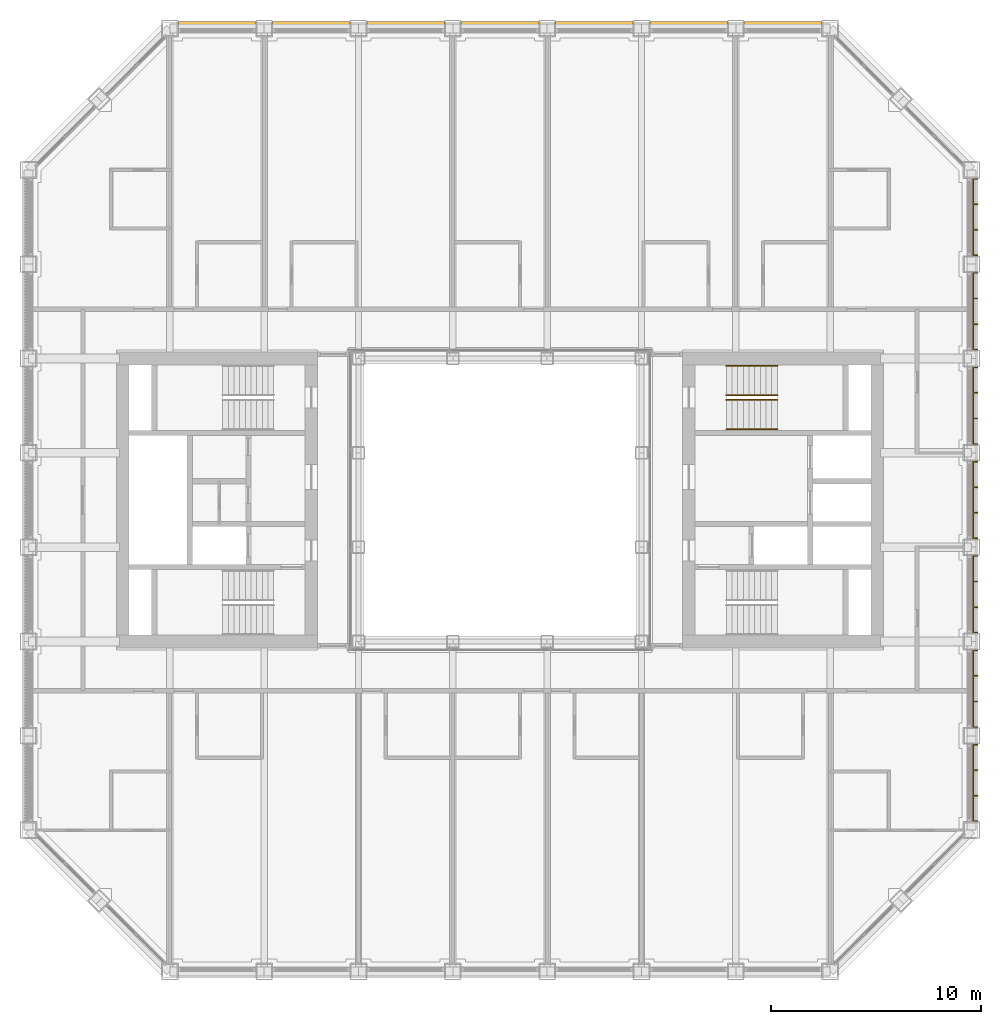
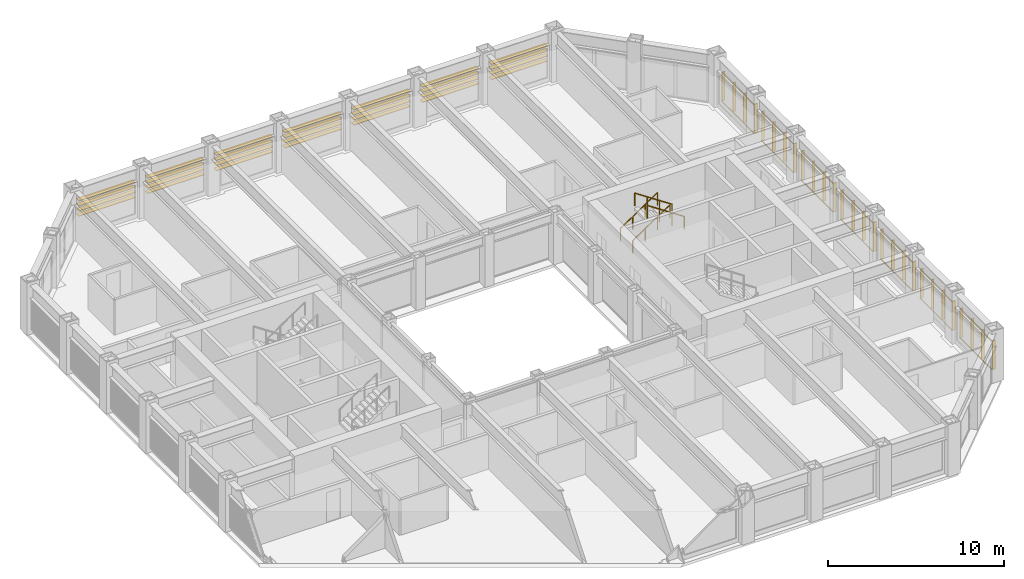
# One storey, part 17 of 17: 4 railings, 2 shading devices.
"""IFC4 building model written with IfcOpenShell, lengths in metres."""

from ifc_helpers import new_model, si_unit, direction, frame, origin, origin_2d, place, context, subcontext, project, spatial, rectangle, circle, extrude, material, type_object, element, save


model = new_model("IFC4")

# Units and contexts
model_context = context("Model", 3, precision=1e-05, world=origin(), true_north=direction((0.0, 1.0)))
body_context = subcontext(model_context, "Body", "Model", "MODEL_VIEW")
ifc_project = project(units=[si_unit("LENGTHUNIT", "METRE"), si_unit("AREAUNIT", "SQUARE_METRE"), si_unit("VOLUMEUNIT", "CUBIC_METRE"), si_unit("PLANEANGLEUNIT", "RADIAN"), si_unit("MASSUNIT", "GRAM", prefix="KILO")], contexts=[model_context])

# Site, building, storey
site_placement = place(None, origin())
site = spatial("IfcSite", under=ifc_project, at=site_placement, CompositionType="ELEMENT")
building_placement = place(site_placement, origin())
building = spatial("IfcBuilding", under=site, at=building_placement, Name="Msasa Ring Tower", CompositionType="ELEMENT")
storey_placement = place(building_placement, frame((0.0, 0.0, 150.800048828125)))
storey = spatial("IfcBuildingStorey", under=building, at=storey_placement, Name="L39", CompositionType="ELEMENT", Elevation=150.800048828125)

# Shading device
ifc_material_1 = material(Name="Extruded terracotta on aluminium carriers", Category="masonry")
shading_device_type_1 = type_object("IfcShadingDeviceType", Name="BS2 TERRACOTTA FIN SCREEN 40x200 AT 1350", PredefinedType="USERDEFINED", material=ifc_material_1)
shading_device_1_placement = place(storey_placement, origin())
element("IfcShadingDevice", 1, at=shading_device_1_placement, inside=storey, type_object=shading_device_type_1, Name="Terracotta fin screen E L39", ObjectType="BAGUETTE", PredefinedType="USERDEFINED", context=body_context, shape_type="SweptSolid", body=[
    extrude(rectangle(XDim=0.06005859375, YDim=0.0400390625, at=origin_2d()), frame((22.580078125, -15.35009765625, 0.329833984375), z_axis=(0.0, 1.0, 0.0), x_axis=(0.0, 0.0, 1.0)), (0.0, 0.0, 1.0), 3.699951171875),
    extrude(rectangle(XDim=0.06005859375, YDim=0.0400390625, at=origin_2d()), frame((22.580078125, -15.35009765625, 2.299072265625), z_axis=(0.0, 1.0, 0.0), x_axis=(0.0, 0.0, 1.0)), (0.0, 0.0, 1.0), 3.699951171875),
    extrude(rectangle(XDim=0.0400390625, YDim=0.199951171875, at=origin_2d()), frame((22.695068359375, -15.330078125, 0.300048828125), z_axis=(0.0, 0.0, 1.0), x_axis=(0.0, 1.0, 0.0)), (0.0, 0.0, 1.0), 2.02880859375),
    extrude(rectangle(XDim=0.0400390625, YDim=0.199951171875, at=origin_2d()), frame((22.695068359375, -14.110107421875, 0.300048828125), z_axis=(0.0, 0.0, 1.0), x_axis=(0.0, 1.0, 0.0)), (0.0, 0.0, 1.0), 2.02880859375),
    extrude(rectangle(XDim=0.0400390625, YDim=0.199951171875, at=origin_2d()), frame((22.695068359375, -12.889892578125, 0.300048828125), z_axis=(0.0, 0.0, 1.0), x_axis=(0.0, 1.0, 0.0)), (0.0, 0.0, 1.0), 2.02880859375),
    extrude(rectangle(XDim=0.0400390625, YDim=0.199951171875, at=origin_2d()), frame((22.695068359375, -11.669921875, 0.300048828125), z_axis=(0.0, 0.0, 1.0), x_axis=(0.0, 1.0, 0.0)), (0.0, 0.0, 1.0), 2.02880859375),
    extrude(rectangle(XDim=0.06005859375, YDim=0.0400390625, at=origin_2d()), frame((22.580078125, -10.85009765625, 0.329833984375), z_axis=(0.0, 1.0, 0.0), x_axis=(0.0, 0.0, 1.0)), (0.0, 0.0, 1.0), 3.699951171875),
    extrude(rectangle(XDim=0.06005859375, YDim=0.0400390625, at=origin_2d()), frame((22.580078125, -10.85009765625, 2.299072265625), z_axis=(0.0, 1.0, 0.0), x_axis=(0.0, 0.0, 1.0)), (0.0, 0.0, 1.0), 3.699951171875),
    extrude(rectangle(XDim=0.0400390625, YDim=0.199951171875, at=origin_2d()), frame((22.695068359375, -10.830078125, 0.300048828125), z_axis=(0.0, 0.0, 1.0), x_axis=(0.0, 1.0, 0.0)), (0.0, 0.0, 1.0), 2.02880859375),
    extrude(rectangle(XDim=0.0400390625, YDim=0.199951171875, at=origin_2d()), frame((22.695068359375, -9.610107421875, 0.300048828125), z_axis=(0.0, 0.0, 1.0), x_axis=(0.0, 1.0, 0.0)), (0.0, 0.0, 1.0), 2.02880859375),
    extrude(rectangle(XDim=0.0400390625, YDim=0.199951171875, at=origin_2d()), frame((22.695068359375, -8.389892578125, 0.300048828125), z_axis=(0.0, 0.0, 1.0), x_axis=(0.0, 1.0, 0.0)), (0.0, 0.0, 1.0), 2.02880859375),
    extrude(rectangle(XDim=0.0400390625, YDim=0.199951171875, at=origin_2d()), frame((22.695068359375, -7.169921875, 0.300048828125), z_axis=(0.0, 0.0, 1.0), x_axis=(0.0, 1.0, 0.0)), (0.0, 0.0, 1.0), 2.02880859375),
    extrude(rectangle(XDim=0.06005859375, YDim=0.0400390625, at=origin_2d()), frame((22.580078125, -6.35009765625, 0.329833984375), z_axis=(0.0, 1.0, 0.0), x_axis=(0.0, 0.0, 1.0)), (0.0, 0.0, 1.0), 3.699951171875),
    extrude(rectangle(XDim=0.06005859375, YDim=0.0400390625, at=origin_2d()), frame((22.580078125, -6.35009765625, 2.299072265625), z_axis=(0.0, 1.0, 0.0), x_axis=(0.0, 0.0, 1.0)), (0.0, 0.0, 1.0), 3.699951171875),
    extrude(rectangle(XDim=0.0400390625, YDim=0.199951171875, at=origin_2d()), frame((22.695068359375, -6.330078125, 0.300048828125), z_axis=(0.0, 0.0, 1.0), x_axis=(0.0, 1.0, 0.0)), (0.0, 0.0, 1.0), 2.02880859375),
    extrude(rectangle(XDim=0.0400390625, YDim=0.199951171875, at=origin_2d()), frame((22.695068359375, -5.110107421875, 0.300048828125), z_axis=(0.0, 0.0, 1.0), x_axis=(0.0, 1.0, 0.0)), (0.0, 0.0, 1.0), 2.02880859375),
    extrude(rectangle(XDim=0.0400390625, YDim=0.199951171875, at=origin_2d()), frame((22.695068359375, -3.889892578125, 0.300048828125), z_axis=(0.0, 0.0, 1.0), x_axis=(0.0, 1.0, 0.0)), (0.0, 0.0, 1.0), 2.02880859375),
    extrude(rectangle(XDim=0.0400390625, YDim=0.199951171875, at=origin_2d()), frame((22.695068359375, -2.669921875, 0.300048828125), z_axis=(0.0, 0.0, 1.0), x_axis=(0.0, 1.0, 0.0)), (0.0, 0.0, 1.0), 2.02880859375),
    extrude(rectangle(XDim=0.06005859375, YDim=0.0400390625, at=origin_2d()), frame((22.580078125, -1.85009765625, 0.329833984375), z_axis=(0.0, 1.0, 0.0), x_axis=(0.0, 0.0, 1.0)), (0.0, 0.0, 1.0), 3.699951171875),
    extrude(rectangle(XDim=0.06005859375, YDim=0.0400390625, at=origin_2d()), frame((22.580078125, -1.85009765625, 2.299072265625), z_axis=(0.0, 1.0, 0.0), x_axis=(0.0, 0.0, 1.0)), (0.0, 0.0, 1.0), 3.699951171875),
    extrude(rectangle(XDim=0.0400390625, YDim=0.199951171875, at=origin_2d()), frame((22.695068359375, -1.830078125, 0.300048828125), z_axis=(0.0, 0.0, 1.0), x_axis=(0.0, 1.0, 0.0)), (0.0, 0.0, 1.0), 2.02880859375),
    extrude(rectangle(XDim=0.0400390625, YDim=0.199951171875, at=origin_2d()), frame((22.695068359375, -0.610107421875, 0.300048828125), z_axis=(0.0, 0.0, 1.0), x_axis=(0.0, 1.0, 0.0)), (0.0, 0.0, 1.0), 2.02880859375),
    extrude(rectangle(XDim=0.0400390625, YDim=0.199951171875, at=origin_2d()), frame((22.695068359375, 0.610107421875, 0.300048828125), z_axis=(0.0, 0.0, 1.0), x_axis=(0.0, 1.0, 0.0)), (0.0, 0.0, 1.0), 2.02880859375),
    extrude(rectangle(XDim=0.0400390625, YDim=0.199951171875, at=origin_2d()), frame((22.695068359375, 1.830078125, 0.300048828125), z_axis=(0.0, 0.0, 1.0), x_axis=(0.0, 1.0, 0.0)), (0.0, 0.0, 1.0), 2.02880859375),
    extrude(rectangle(XDim=0.06005859375, YDim=0.0400390625, at=origin_2d()), frame((22.580078125, 2.64990234375, 0.329833984375), z_axis=(0.0, 1.0, 0.0), x_axis=(0.0, 0.0, 1.0)), (0.0, 0.0, 1.0), 3.699951171875),
    extrude(rectangle(XDim=0.06005859375, YDim=0.0400390625, at=origin_2d()), frame((22.580078125, 2.64990234375, 2.299072265625), z_axis=(0.0, 1.0, 0.0), x_axis=(0.0, 0.0, 1.0)), (0.0, 0.0, 1.0), 3.699951171875),
    extrude(rectangle(XDim=0.0400390625, YDim=0.199951171875, at=origin_2d()), frame((22.695068359375, 2.669921875, 0.300048828125), z_axis=(0.0, 0.0, 1.0), x_axis=(0.0, 1.0, 0.0)), (0.0, 0.0, 1.0), 2.02880859375),
    extrude(rectangle(XDim=0.0400390625, YDim=0.199951171875, at=origin_2d()), frame((22.695068359375, 3.889892578125, 0.300048828125), z_axis=(0.0, 0.0, 1.0), x_axis=(0.0, 1.0, 0.0)), (0.0, 0.0, 1.0), 2.02880859375),
    extrude(rectangle(XDim=0.0400390625, YDim=0.199951171875, at=origin_2d()), frame((22.695068359375, 5.110107421875, 0.300048828125), z_axis=(0.0, 0.0, 1.0), x_axis=(0.0, 1.0, 0.0)), (0.0, 0.0, 1.0), 2.02880859375),
    extrude(rectangle(XDim=0.0400390625, YDim=0.199951171875, at=origin_2d()), frame((22.695068359375, 6.330078125, 0.300048828125), z_axis=(0.0, 0.0, 1.0), x_axis=(0.0, 1.0, 0.0)), (0.0, 0.0, 1.0), 2.02880859375),
    extrude(rectangle(XDim=0.06005859375, YDim=0.0400390625, at=origin_2d()), frame((22.580078125, 7.14990234375, 0.329833984375), z_axis=(0.0, 1.0, 0.0), x_axis=(0.0, 0.0, 1.0)), (0.0, 0.0, 1.0), 3.699951171875),
    extrude(rectangle(XDim=0.06005859375, YDim=0.0400390625, at=origin_2d()), frame((22.580078125, 7.14990234375, 2.299072265625), z_axis=(0.0, 1.0, 0.0), x_axis=(0.0, 0.0, 1.0)), (0.0, 0.0, 1.0), 3.699951171875),
    extrude(rectangle(XDim=0.0400390625, YDim=0.199951171875, at=origin_2d()), frame((22.695068359375, 7.169921875, 0.300048828125), z_axis=(0.0, 0.0, 1.0), x_axis=(0.0, 1.0, 0.0)), (0.0, 0.0, 1.0), 2.02880859375),
    extrude(rectangle(XDim=0.0400390625, YDim=0.199951171875, at=origin_2d()), frame((22.695068359375, 8.389892578125, 0.300048828125), z_axis=(0.0, 0.0, 1.0), x_axis=(0.0, 1.0, 0.0)), (0.0, 0.0, 1.0), 2.02880859375),
    extrude(rectangle(XDim=0.0400390625, YDim=0.199951171875, at=origin_2d()), frame((22.695068359375, 9.610107421875, 0.300048828125), z_axis=(0.0, 0.0, 1.0), x_axis=(0.0, 1.0, 0.0)), (0.0, 0.0, 1.0), 2.02880859375),
    extrude(rectangle(XDim=0.0400390625, YDim=0.199951171875, at=origin_2d()), frame((22.695068359375, 10.830078125, 0.300048828125), z_axis=(0.0, 0.0, 1.0), x_axis=(0.0, 1.0, 0.0)), (0.0, 0.0, 1.0), 2.02880859375),
    extrude(rectangle(XDim=0.06005859375, YDim=0.0400390625, at=origin_2d()), frame((22.580078125, 11.64990234375, 0.329833984375), z_axis=(0.0, 1.0, 0.0), x_axis=(0.0, 0.0, 1.0)), (0.0, 0.0, 1.0), 3.699951171875),
    extrude(rectangle(XDim=0.06005859375, YDim=0.0400390625, at=origin_2d()), frame((22.580078125, 11.64990234375, 2.299072265625), z_axis=(0.0, 1.0, 0.0), x_axis=(0.0, 0.0, 1.0)), (0.0, 0.0, 1.0), 3.699951171875),
    extrude(rectangle(XDim=0.0400390625, YDim=0.199951171875, at=origin_2d()), frame((22.695068359375, 11.669921875, 0.300048828125), z_axis=(0.0, 0.0, 1.0), x_axis=(0.0, 1.0, 0.0)), (0.0, 0.0, 1.0), 2.02880859375),
    extrude(rectangle(XDim=0.0400390625, YDim=0.199951171875, at=origin_2d()), frame((22.695068359375, 12.889892578125, 0.300048828125), z_axis=(0.0, 0.0, 1.0), x_axis=(0.0, 1.0, 0.0)), (0.0, 0.0, 1.0), 2.02880859375),
    extrude(rectangle(XDim=0.0400390625, YDim=0.199951171875, at=origin_2d()), frame((22.695068359375, 14.110107421875, 0.300048828125), z_axis=(0.0, 0.0, 1.0), x_axis=(0.0, 1.0, 0.0)), (0.0, 0.0, 1.0), 2.02880859375),
    extrude(rectangle(XDim=0.0400390625, YDim=0.199951171875, at=origin_2d()), frame((22.695068359375, 15.330078125, 0.300048828125), z_axis=(0.0, 0.0, 1.0), x_axis=(0.0, 1.0, 0.0)), (0.0, 0.0, 1.0), 2.02880859375),
])

# Railings
ifc_material_2 = material(Name="Stainless steel", Category="steel")
railing_type = type_object("IfcRailingType", Name="HR1 HANDRAIL 900", PredefinedType="HANDRAIL", material=ifc_material_2)
for number, where, name in (
    (2, (10.800048828125, 5.0, 0.179931640625), "Handrail stair SEB L39 1"),
    (3, (10.800048828125, 6.39990234375, 0.179931640625), "Handrail stair SEB L39 2"),
):
    element("IfcRailing", number, at=place(storey_placement, frame(where)), inside=storey, type_object=railing_type, Name=name, PredefinedType="HANDRAIL", context=body_context, shape_type="SweptSolid", body=[
        extrude(circle(Radius=0.02392578125, at=origin_2d()), frame((0.0, 0.0, 0.8759765625), z_axis=(0.832024571796, 0.0, 0.554738778101), x_axis=(0.0, 1.0, 0.0)), (0.0, 0.0, 1.0), 2.92041015625),
        extrude(circle(Radius=0.02099609375, at=origin_2d()), origin(), (0.0, 0.0, 1.0), 0.851806640625),
        extrude(circle(Radius=0.02099609375, at=origin_2d()), frame((0.81005859375, 0.0, 0.5400390625)), (0.0, 0.0, 1.0), 0.851806640625),
        extrude(circle(Radius=0.02099609375, at=origin_2d()), frame((1.619873046875, 0.0, 1.080078125)), (0.0, 0.0, 1.0), 0.851806640625),
        extrude(circle(Radius=0.02099609375, at=origin_2d()), frame((2.429931640625, 0.0, 1.6201171875)), (0.0, 0.0, 1.0), 0.851806640625),
    ])
for number, where, name in (
    (4, (13.22998046875, 3.375, 1.97998046875), "Handrail stair SEB L39 3"),
    (5, (13.22998046875, 4.77490234375, 1.97998046875), "Handrail stair SEB L39 4"),
):
    element("IfcRailing", number, at=place(storey_placement, frame(where)), inside=storey, type_object=railing_type, Name=name, PredefinedType="HANDRAIL", context=body_context, shape_type="SweptSolid", body=[
        extrude(circle(Radius=0.02392578125, at=origin_2d()), frame((0.0, 0.0, 0.8759765625), z_axis=(-0.832063155534, 0.0, 0.554680903946), x_axis=(0.0, -1.0, 0.0)), (0.0, 0.0, 1.0), 2.92041015625),
        extrude(circle(Radius=0.02099609375, at=origin_2d()), origin(), (0.0, 0.0, 1.0), 0.851806640625),
        extrude(circle(Radius=0.02099609375, at=origin_2d()), frame((-0.81005859375, 0.0, 0.5400390625)), (0.0, 0.0, 1.0), 0.851806640625),
        extrude(circle(Radius=0.02099609375, at=origin_2d()), frame((-1.619873046875, 0.0, 1.079833984375)), (0.0, 0.0, 1.0), 0.851806640625),
        extrude(circle(Radius=0.02099609375, at=origin_2d()), frame((-2.429931640625, 0.0, 1.619873046875)), (0.0, 0.0, 1.0), 0.851806640625),
    ])

# Shading device
ifc_material_3 = material(Name="Extruded terracotta blades", Category="masonry")
shading_device_type_2 = type_object("IfcShadingDeviceType", Name="SS1 TERRACOTTA SUNSHADE 4 BLADES 300x40 AT 350", PredefinedType="USERDEFINED", material=ifc_material_3)
shading_device_2_placement = place(storey_placement, origin())
element("IfcShadingDevice", 6, at=shading_device_2_placement, inside=storey, type_object=shading_device_type_2, Name="Terracotta sunshade N L39", ObjectType="SUNSHADE", PredefinedType="USERDEFINED", context=body_context, shape_type="SweptSolid", body=[
    extrude(rectangle(XDim=0.0400390625, YDim=0.300048828125, at=origin_2d()), frame((-15.35009765625, 22.679931640625, 2.308837890625), z_axis=(1.0, 0.0, 0.0), x_axis=(0.0, 0.0, 1.0)), (0.0, 0.0, 1.0), 3.699951171875),
    extrude(rectangle(XDim=0.0400390625, YDim=0.300048828125, at=origin_2d()), frame((-15.35009765625, 22.679931640625, 1.958984375), z_axis=(1.0, 0.0, 0.0), x_axis=(0.0, 0.0, 1.0)), (0.0, 0.0, 1.0), 3.699951171875),
    extrude(rectangle(XDim=0.0400390625, YDim=0.300048828125, at=origin_2d()), frame((-15.35009765625, 22.679931640625, 1.60888671875), z_axis=(1.0, 0.0, 0.0), x_axis=(0.0, 0.0, 1.0)), (0.0, 0.0, 1.0), 3.699951171875),
    extrude(rectangle(XDim=0.0400390625, YDim=0.300048828125, at=origin_2d()), frame((-15.35009765625, 22.679931640625, 1.259033203125), z_axis=(1.0, 0.0, 0.0), x_axis=(0.0, 0.0, 1.0)), (0.0, 0.0, 1.0), 3.699951171875),
    extrude(rectangle(XDim=0.0400390625, YDim=0.300048828125, at=origin_2d()), frame((-10.85009765625, 22.679931640625, 2.308837890625), z_axis=(1.0, 0.0, 0.0), x_axis=(0.0, 0.0, 1.0)), (0.0, 0.0, 1.0), 3.699951171875),
    extrude(rectangle(XDim=0.0400390625, YDim=0.300048828125, at=origin_2d()), frame((-10.85009765625, 22.679931640625, 1.958984375), z_axis=(1.0, 0.0, 0.0), x_axis=(0.0, 0.0, 1.0)), (0.0, 0.0, 1.0), 3.699951171875),
    extrude(rectangle(XDim=0.0400390625, YDim=0.300048828125, at=origin_2d()), frame((-10.85009765625, 22.679931640625, 1.60888671875), z_axis=(1.0, 0.0, 0.0), x_axis=(0.0, 0.0, 1.0)), (0.0, 0.0, 1.0), 3.699951171875),
    extrude(rectangle(XDim=0.0400390625, YDim=0.300048828125, at=origin_2d()), frame((-10.85009765625, 22.679931640625, 1.259033203125), z_axis=(1.0, 0.0, 0.0), x_axis=(0.0, 0.0, 1.0)), (0.0, 0.0, 1.0), 3.699951171875),
    extrude(rectangle(XDim=0.0400390625, YDim=0.300048828125, at=origin_2d()), frame((-6.35009765625, 22.679931640625, 2.308837890625), z_axis=(1.0, 0.0, 0.0), x_axis=(0.0, 0.0, 1.0)), (0.0, 0.0, 1.0), 3.699951171875),
    extrude(rectangle(XDim=0.0400390625, YDim=0.300048828125, at=origin_2d()), frame((-6.35009765625, 22.679931640625, 1.958984375), z_axis=(1.0, 0.0, 0.0), x_axis=(0.0, 0.0, 1.0)), (0.0, 0.0, 1.0), 3.699951171875),
    extrude(rectangle(XDim=0.0400390625, YDim=0.300048828125, at=origin_2d()), frame((-6.35009765625, 22.679931640625, 1.60888671875), z_axis=(1.0, 0.0, 0.0), x_axis=(0.0, 0.0, 1.0)), (0.0, 0.0, 1.0), 3.699951171875),
    extrude(rectangle(XDim=0.0400390625, YDim=0.300048828125, at=origin_2d()), frame((-6.35009765625, 22.679931640625, 1.259033203125), z_axis=(1.0, 0.0, 0.0), x_axis=(0.0, 0.0, 1.0)), (0.0, 0.0, 1.0), 3.699951171875),
    extrude(rectangle(XDim=0.0400390625, YDim=0.300048828125, at=origin_2d()), frame((-1.85009765625, 22.679931640625, 2.308837890625), z_axis=(1.0, 0.0, 0.0), x_axis=(0.0, 0.0, 1.0)), (0.0, 0.0, 1.0), 3.699951171875),
    extrude(rectangle(XDim=0.0400390625, YDim=0.300048828125, at=origin_2d()), frame((-1.85009765625, 22.679931640625, 1.958984375), z_axis=(1.0, 0.0, 0.0), x_axis=(0.0, 0.0, 1.0)), (0.0, 0.0, 1.0), 3.699951171875),
    extrude(rectangle(XDim=0.0400390625, YDim=0.300048828125, at=origin_2d()), frame((-1.85009765625, 22.679931640625, 1.60888671875), z_axis=(1.0, 0.0, 0.0), x_axis=(0.0, 0.0, 1.0)), (0.0, 0.0, 1.0), 3.699951171875),
    extrude(rectangle(XDim=0.0400390625, YDim=0.300048828125, at=origin_2d()), frame((-1.85009765625, 22.679931640625, 1.259033203125), z_axis=(1.0, 0.0, 0.0), x_axis=(0.0, 0.0, 1.0)), (0.0, 0.0, 1.0), 3.699951171875),
    extrude(rectangle(XDim=0.0400390625, YDim=0.300048828125, at=origin_2d()), frame((2.64990234375, 22.679931640625, 2.308837890625), z_axis=(1.0, 0.0, 0.0), x_axis=(0.0, 0.0, 1.0)), (0.0, 0.0, 1.0), 3.699951171875),
    extrude(rectangle(XDim=0.0400390625, YDim=0.300048828125, at=origin_2d()), frame((2.64990234375, 22.679931640625, 1.958984375), z_axis=(1.0, 0.0, 0.0), x_axis=(0.0, 0.0, 1.0)), (0.0, 0.0, 1.0), 3.699951171875),
    extrude(rectangle(XDim=0.0400390625, YDim=0.300048828125, at=origin_2d()), frame((2.64990234375, 22.679931640625, 1.60888671875), z_axis=(1.0, 0.0, 0.0), x_axis=(0.0, 0.0, 1.0)), (0.0, 0.0, 1.0), 3.699951171875),
    extrude(rectangle(XDim=0.0400390625, YDim=0.300048828125, at=origin_2d()), frame((2.64990234375, 22.679931640625, 1.259033203125), z_axis=(1.0, 0.0, 0.0), x_axis=(0.0, 0.0, 1.0)), (0.0, 0.0, 1.0), 3.699951171875),
    extrude(rectangle(XDim=0.0400390625, YDim=0.300048828125, at=origin_2d()), frame((7.14990234375, 22.679931640625, 2.308837890625), z_axis=(1.0, 0.0, 0.0), x_axis=(0.0, 0.0, 1.0)), (0.0, 0.0, 1.0), 3.699951171875),
    extrude(rectangle(XDim=0.0400390625, YDim=0.300048828125, at=origin_2d()), frame((7.14990234375, 22.679931640625, 1.958984375), z_axis=(1.0, 0.0, 0.0), x_axis=(0.0, 0.0, 1.0)), (0.0, 0.0, 1.0), 3.699951171875),
    extrude(rectangle(XDim=0.0400390625, YDim=0.300048828125, at=origin_2d()), frame((7.14990234375, 22.679931640625, 1.60888671875), z_axis=(1.0, 0.0, 0.0), x_axis=(0.0, 0.0, 1.0)), (0.0, 0.0, 1.0), 3.699951171875),
    extrude(rectangle(XDim=0.0400390625, YDim=0.300048828125, at=origin_2d()), frame((7.14990234375, 22.679931640625, 1.259033203125), z_axis=(1.0, 0.0, 0.0), x_axis=(0.0, 0.0, 1.0)), (0.0, 0.0, 1.0), 3.699951171875),
    extrude(rectangle(XDim=0.0400390625, YDim=0.300048828125, at=origin_2d()), frame((11.64990234375, 22.679931640625, 2.308837890625), z_axis=(1.0, 0.0, 0.0), x_axis=(0.0, 0.0, 1.0)), (0.0, 0.0, 1.0), 3.699951171875),
    extrude(rectangle(XDim=0.0400390625, YDim=0.300048828125, at=origin_2d()), frame((11.64990234375, 22.679931640625, 1.958984375), z_axis=(1.0, 0.0, 0.0), x_axis=(0.0, 0.0, 1.0)), (0.0, 0.0, 1.0), 3.699951171875),
    extrude(rectangle(XDim=0.0400390625, YDim=0.300048828125, at=origin_2d()), frame((11.64990234375, 22.679931640625, 1.60888671875), z_axis=(1.0, 0.0, 0.0), x_axis=(0.0, 0.0, 1.0)), (0.0, 0.0, 1.0), 3.699951171875),
    extrude(rectangle(XDim=0.0400390625, YDim=0.300048828125, at=origin_2d()), frame((11.64990234375, 22.679931640625, 1.259033203125), z_axis=(1.0, 0.0, 0.0), x_axis=(0.0, 0.0, 1.0)), (0.0, 0.0, 1.0), 3.699951171875),
])

save(model, "model.ifc")
